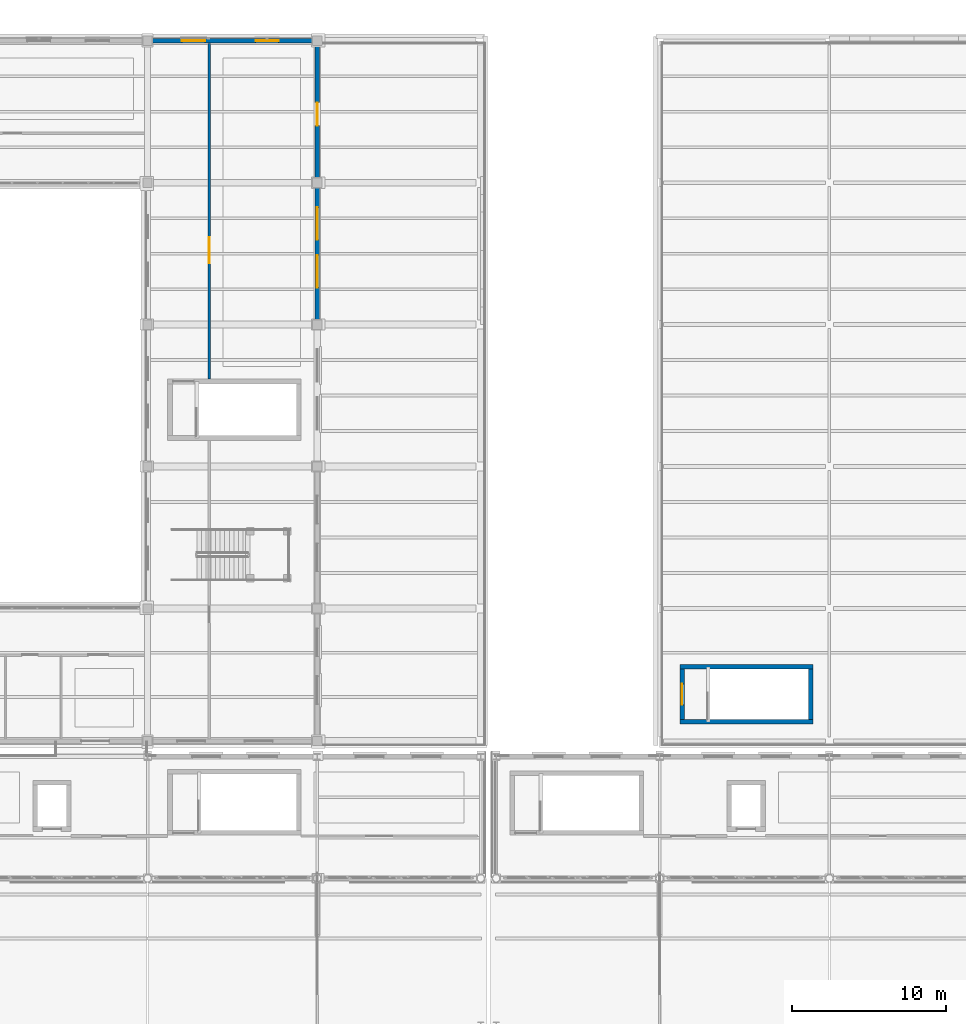
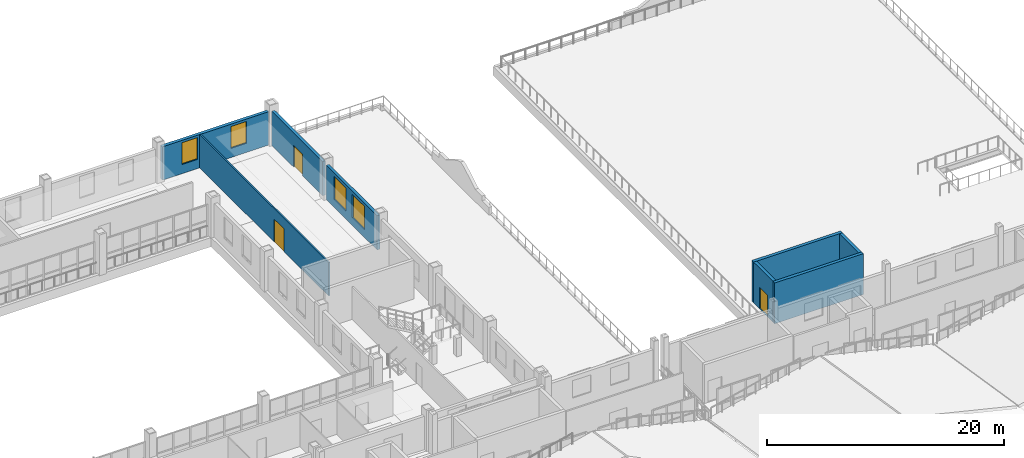
# One storey, part 100 of 120: 8 walls, 4 windows, 3 doors, 7 openings.
"""IFC4 building model written with IfcOpenShell, lengths in metres."""

from ifc_helpers import new_model, si_unit, direction, frame, frame_2d, origin, place, context, subcontext, project, spatial, rectangle, extrude, material, layer, layer_set, type_object, element, fill, save


model = new_model("IFC4")

# Units and contexts
model_context = context("Model", 3, precision=1e-05, world=origin(), true_north=direction((0.0, 1.0)))
body_context = subcontext(model_context, "Body", "Model", "MODEL_VIEW")
ifc_project = project(units=[si_unit("LENGTHUNIT", "METRE"), si_unit("AREAUNIT", "SQUARE_METRE"), si_unit("VOLUMEUNIT", "CUBIC_METRE"), si_unit("PLANEANGLEUNIT", "RADIAN"), si_unit("MASSUNIT", "GRAM", prefix="KILO")], contexts=[model_context])

# Site, building, storey
site_placement = place(None, origin())
site = spatial("IfcSite", under=ifc_project, at=site_placement, CompositionType="ELEMENT")
building_placement = place(site_placement, origin())
building = spatial("IfcBuilding", under=site, at=building_placement, Name="Caurita Quay Ferry Terminal", CompositionType="ELEMENT")
storey_placement = place(building_placement, frame((0.0, 0.0, 9.89990234375)))
storey = spatial("IfcBuildingStorey", under=building, at=storey_placement, Name="L02", CompositionType="ELEMENT", Elevation=9.89990234375)

# Walls
ifc_material_1 = material(Name="Reinforced concrete C35/45", Category="concrete")
ifc_layer_1 = layer(ifc_material_1, 0.300048828125, Name="Interior shear wall 300 mm")
ifc_layer_set_1 = layer_set([ifc_layer_1], Name="Reinforced concrete C35/45")
wall_type_1 = type_object("IfcWallType", Name="WL-CORE-300", PredefinedType="SHEAR", material=ifc_layer_set_1)
for number, where, z_axis, x_axis, name in (
    (1, (100.5, 72.85009765625, 0.0), (0.0, 0.0, 1.0), (1.0, 0.0, 0.0), "L02 ST-12 Core Wall South"),
    (2, (109.14990234375, 76.409912109375, 0.0), (0.0, 0.0, 1.0), (-1.0, 0.0, 0.0), "L02 ST-12 Core Wall North"),
):
    element("IfcWall", number, at=place(storey_placement, frame(where, z_axis=z_axis, x_axis=x_axis)), inside=storey, type_object=wall_type_1, Name=name, PredefinedType="SHEAR", context=body_context, shape_type="SweptSolid", body=[
        extrude(rectangle(XDim=8.64990234375, YDim=0.300048828125, at=frame_2d((4.324951171875, 0.0))), origin(), (0.0, 0.0, 1.0), 4.2001953125),
    ])

# Wall, opening, door
wall_1_placement = place(storey_placement, frame((100.64990234375, 76.260009765625, 0.0), z_axis=(0.0, 0.0, 1.0), x_axis=(0.0, -1.0, 0.0)))
wall_1 = element("IfcWall", 3, at=wall_1_placement, inside=storey, type_object=wall_type_1, Name="L02 ST-12 Core Wall West", PredefinedType="SHEAR", context=body_context, shape_type="SweptSolid", body=[
    extrude(rectangle(XDim=3.260009765625, YDim=0.300048828125, at=frame_2d((1.6298828125, 0.0))), origin(), (0.0, 0.0, 1.0), 4.2001953125),
])
opening_1_placement = place(wall_1_placement, frame((0.955078125, 0.0, 0.0)))
opening_1 = element("IfcOpeningElement", 4, at=opening_1_placement, cuts=wall_1, Name="Opening SD-01", PredefinedType="OPENING", context=body_context, shape_type="SweptSolid", body=[
    extrude(rectangle(XDim=1.35009765625, YDim=2.199951171875, at=frame_2d((0.675048828125, 1.10009765625))), frame((0.0, 0.159912109375, 0.0), z_axis=(0.0, -1.0, 0.0), x_axis=(1.0, 0.0, 0.0)), (0.0, 0.0, 1.0), 0.320068359375),
])
ifc_material_2 = material(Name="Anodized aluminium 6063-T6", Category="aluminium")
door_type_1 = type_object("IfcDoorType", Name="DR-ST-1200", OperationType="NOTDEFINED", PredefinedType="DOOR", material=ifc_material_2)
door_1_placement = place(opening_1_placement, origin())
door_1 = element("IfcDoor", 5, at=door_1_placement, inside=storey, type_object=door_type_1, Name="L02 Exit Stair ST-12 Fire Door", OperationType="SINGLE_SWING_RIGHT", OverallHeight=2.199951171875, OverallWidth=1.35009765625, PredefinedType="DOOR", context=body_context, shape_type="SweptSolid", body=[
    extrude(rectangle(XDim=1.35009765625, YDim=2.199951171875, at=frame_2d((0.675048828125, 1.10009765625))), frame((0.0, 0.02490234375, 0.0), z_axis=(0.0, -1.0, 0.0), x_axis=(1.0, 0.0, 0.0)), (0.0, 0.0, 1.0), 0.050048828125),
])
fill(opening_1, door_1)

# Wall
wall_2_placement = place(storey_placement, frame((109.0, 73.0, 0.0), z_axis=(0.0, 0.0, 1.0), x_axis=(0.0, 1.0, 0.0)))
element("IfcWall", 6, at=wall_2_placement, inside=storey, type_object=wall_type_1, Name="L02 ST-12 Core Wall East", PredefinedType="SHEAR", context=body_context, shape_type="SweptSolid", body=[
    extrude(rectangle(XDim=3.260009765625, YDim=0.300048828125, at=frame_2d((1.6298828125, 0.0))), origin(), (0.0, 0.0, 1.0), 4.2001953125),
])

# Wall, openings, windows
ifc_material_3 = material(Name="Warm-white lime stucco masonry", Category="masonry")
ifc_layer_2 = layer(ifc_material_3, 0.280029296875, Name="Exterior solidwall wall 280 mm")
ifc_layer_set_2 = layer_set([ifc_layer_2], Name="Warm-white lime stucco masonry")
wall_type_2 = type_object("IfcWallType", Name="WL-EXT-280", PredefinedType="SOLIDWALL", material=ifc_layer_set_2)
wall_3_placement = place(storey_placement, frame((77.0, 98.89794921875, 0.0), z_axis=(0.0, 0.0, 1.0), x_axis=(0.0, 1.0, 0.0)))
wall_3 = element("IfcWall", 7, at=wall_3_placement, inside=storey, type_object=wall_type_2, Name="L02 Exterior Wall EW-L02-096", PredefinedType="SOLIDWALL", context=body_context, shape_type="SweptSolid", body=[
    extrude(rectangle(XDim=8.60400390625, YDim=0.280029296875, at=frame_2d((4.302001953125, 0.0))), origin(), (0.0, 0.0, 1.0), 3.53515625),
])
opening_2_placement = place(wall_3_placement, frame((2.10205078125, 0.0, 0.800048828125)))
opening_2 = element("IfcOpeningElement", 8, at=opening_2_placement, cuts=wall_3, Name="Opening W-12", PredefinedType="OPENING", context=body_context, shape_type="SweptSolid", body=[
    extrude(rectangle(XDim=2.10009765625, YDim=2.39990234375, at=frame_2d((1.050048828125, 1.199951171875))), frame((0.0, 0.14990234375, 0.0), z_axis=(0.0, -1.0, 0.0), x_axis=(1.0, 0.0, 0.0)), (0.0, 0.0, 1.0), 0.300048828125),
])
opening_3_placement = place(wall_3_placement, frame((5.201904296875, 0.0, 0.800048828125)))
opening_3 = element("IfcOpeningElement", 9, at=opening_3_placement, cuts=wall_3, Name="Opening W-12", PredefinedType="OPENING", context=body_context, shape_type="SweptSolid", body=[
    extrude(rectangle(XDim=2.10009765625, YDim=2.39990234375, at=frame_2d((1.050048828125, 1.199951171875))), frame((0.0, 0.14990234375, 0.0), z_axis=(0.0, -1.0, 0.0), x_axis=(1.0, 0.0, 0.0)), (0.0, 0.0, 1.0), 0.300048828125),
])
ifc_material_4 = material(Name="Laminated solar-control insulated glass", Category="glass")
window_type_1 = type_object("IfcWindowType", Name="WIN-SC-2124", PartitioningType="SINGLE_PANEL", PredefinedType="WINDOW", material=ifc_material_4)
window_1_placement = place(opening_2_placement, origin())
window_1 = element("IfcWindow", 10, at=window_1_placement, inside=storey, type_object=window_type_1, Name="L02 Casement Window WN-L02-147", OverallHeight=2.39990234375, OverallWidth=2.10009765625, PartitioningType="SINGLE_PANEL", PredefinedType="WINDOW", context=body_context, shape_type="SweptSolid", body=[
    extrude(rectangle(XDim=2.10009765625, YDim=2.39990234375, at=frame_2d((1.050048828125, 1.199951171875))), frame((0.0, 0.030029296875, 0.0), z_axis=(0.0, -1.0, 0.0), x_axis=(1.0, 0.0, 0.0)), (0.0, 0.0, 1.0), 0.06005859375),
])
fill(opening_2, window_1)
window_2_placement = place(opening_3_placement, origin())
window_2 = element("IfcWindow", 11, at=window_2_placement, inside=storey, type_object=window_type_1, Name="L02 Casement Window WN-L02-148", OverallHeight=2.39990234375, OverallWidth=2.10009765625, PartitioningType="SINGLE_PANEL", PredefinedType="WINDOW", context=body_context, shape_type="SweptSolid", body=[
    extrude(rectangle(XDim=2.10009765625, YDim=2.39990234375, at=frame_2d((1.050048828125, 1.199951171875))), frame((0.0, 0.030029296875, 0.0), z_axis=(0.0, -1.0, 0.0), x_axis=(1.0, 0.0, 0.0)), (0.0, 0.0, 1.0), 0.06005859375),
])
fill(opening_3, window_2)

# Wall, opening, door
wall_4_placement = place(storey_placement, frame((77.0, 108.097900390625, 0.0), z_axis=(0.0, 0.0, 1.0), x_axis=(0.0, 1.0, 0.0)))
wall_4 = element("IfcWall", 12, at=wall_4_placement, inside=storey, type_object=wall_type_2, Name="L02 Exterior Wall EW-L02-097", PredefinedType="SOLIDWALL", context=body_context, shape_type="SweptSolid", body=[
    extrude(rectangle(XDim=8.60400390625, YDim=0.280029296875, at=frame_2d((4.302001953125, 0.0))), origin(), (0.0, 0.0, 1.0), 3.53515625),
])
opening_4_placement = place(wall_4_placement, frame((3.402099609375, 0.0, 0.0)))
opening_4 = element("IfcOpeningElement", 13, at=opening_4_placement, cuts=wall_4, Name="Opening TD-02", PredefinedType="OPENING", context=body_context, shape_type="SweptSolid", body=[
    extrude(rectangle(XDim=1.5, YDim=2.25, at=frame_2d((0.75, 1.125))), frame((0.0, 0.14990234375, 0.0), z_axis=(0.0, -1.0, 0.0), x_axis=(1.0, 0.0, 0.0)), (0.0, 0.0, 1.0), 0.300048828125),
])
door_type_2 = type_object("IfcDoorType", Name="DR-TER-1522", OperationType="NOTDEFINED", PredefinedType="DOOR", material=ifc_material_2)
door_2_placement = place(opening_4_placement, frame((1.5, 0.0, 0.0), z_axis=(0.0, 0.0, 1.0), x_axis=(-1.0, 0.0, 0.0)))
door_2 = element("IfcDoor", 14, at=door_2_placement, inside=storey, type_object=door_type_2, Name="L02 Colonial Roof Terrace Door TD-L02", OperationType="SINGLE_SWING_LEFT", OverallHeight=2.25, OverallWidth=1.5, PredefinedType="DOOR", context=body_context, shape_type="SweptSolid", body=[
    extrude(rectangle(XDim=1.5, YDim=2.25, at=frame_2d((0.75, 1.125))), frame((0.0, 0.02490234375, 0.0), z_axis=(0.0, -1.0, 0.0), x_axis=(1.0, 0.0, 0.0)), (0.0, 0.0, 1.0), 0.050048828125),
])
fill(opening_4, door_2)

# Wall, openings, windows
ifc_layer_3 = layer(ifc_material_3, 0.31005859375, Name="Exterior solidwall wall 310 mm")
ifc_layer_set_3 = layer_set([ifc_layer_3], Name="Warm-white lime stucco masonry")
wall_type_3 = type_object("IfcWallType", Name="WL-EXT-310", PredefinedType="SOLIDWALL", material=ifc_layer_set_3)
wall_5_placement = place(storey_placement, frame((76.701904296875, 117.0, 0.0), z_axis=(0.0, 0.0, 1.0), x_axis=(-1.0, 0.0, 0.0)))
wall_5 = element("IfcWall", 15, at=wall_5_placement, inside=storey, type_object=wall_type_3, Name="L02 Exterior Wall EW-L02-023", PredefinedType="SOLIDWALL", context=body_context, shape_type="SweptSolid", body=[
    extrude(rectangle(XDim=10.40380859375, YDim=0.31005859375, at=frame_2d((5.201904296875, 0.0))), origin(), (0.0, 0.0, 1.0), 3.43505859375),
])
opening_5_placement = place(wall_5_placement, frame((2.201904296875, 0.0, 0.949951171875)))
opening_5 = element("IfcOpeningElement", 16, at=opening_5_placement, cuts=wall_5, Name="Opening W-07", PredefinedType="OPENING", context=body_context, shape_type="SweptSolid", body=[
    extrude(rectangle(XDim=1.5, YDim=2.25, at=frame_2d((0.75, 1.125))), frame((0.0, 0.1650390625, 0.0), z_axis=(0.0, -1.0, 0.0), x_axis=(1.0, 0.0, 0.0)), (0.0, 0.0, 1.0), 0.330078125),
])
opening_6_placement = place(wall_5_placement, frame((6.97412109375, 0.0, 0.949951171875)))
opening_6 = element("IfcOpeningElement", 17, at=opening_6_placement, cuts=wall_5, Name="Opening W-07", PredefinedType="OPENING", context=body_context, shape_type="SweptSolid", body=[
    extrude(rectangle(XDim=1.5, YDim=2.25, at=frame_2d((0.75, 1.125))), frame((0.0, 0.1650390625, 0.0), z_axis=(0.0, -1.0, 0.0), x_axis=(1.0, 0.0, 0.0)), (0.0, 0.0, 1.0), 0.330078125),
])
window_type_2 = type_object("IfcWindowType", Name="WIN-SC-1522", PartitioningType="SINGLE_PANEL", PredefinedType="WINDOW", material=ifc_material_4)
window_3_placement = place(opening_5_placement, origin())
window_3 = element("IfcWindow", 18, at=window_3_placement, inside=storey, type_object=window_type_2, Name="L02 Casement Window WN-L02-031", OverallHeight=2.25, OverallWidth=1.5, PartitioningType="SINGLE_PANEL", PredefinedType="WINDOW", context=body_context, shape_type="SweptSolid", body=[
    extrude(rectangle(XDim=1.5, YDim=2.25, at=frame_2d((0.75, 1.125))), frame((0.0, 0.030029296875, 0.0), z_axis=(0.0, -1.0, 0.0), x_axis=(1.0, 0.0, 0.0)), (0.0, 0.0, 1.0), 0.06005859375),
])
fill(opening_5, window_3)
window_4_placement = place(opening_6_placement, origin())
window_4 = element("IfcWindow", 19, at=window_4_placement, inside=storey, type_object=window_type_2, Name="L02 Casement Window WN-L02-032", OverallHeight=2.25, OverallWidth=1.5, PartitioningType="SINGLE_PANEL", PredefinedType="WINDOW", context=body_context, shape_type="SweptSolid", body=[
    extrude(rectangle(XDim=1.5, YDim=2.25, at=frame_2d((0.75, 1.125))), frame((0.0, 0.030029296875, 0.0), z_axis=(0.0, -1.0, 0.0), x_axis=(1.0, 0.0, 0.0)), (0.0, 0.0, 1.0), 0.06005859375),
])
fill(opening_6, window_4)

# Wall, opening, door
ifc_material_5 = material(Name="Gypsum board partition", Category="masonry")
ifc_layer_4 = layer(ifc_material_5, 0.14501953125, Name="Interior partitioning wall 145 mm")
ifc_layer_set_4 = layer_set([ifc_layer_4], Name="Gypsum board partition")
wall_type_4 = type_object("IfcWallType", Name="WL-PART-145", PredefinedType="PARTITIONING", material=ifc_layer_set_4)
wall_6_placement = place(storey_placement, frame((70.0, 95.06494140625, 0.0), z_axis=(0.0, 0.0, 1.0), x_axis=(0.0, 1.0, 0.0)))
wall_6 = element("IfcWall", 20, at=wall_6_placement, inside=storey, type_object=wall_type_4, Name="L02 Interior Partition IW-L02-091", PredefinedType="PARTITIONING", context=body_context, shape_type="SweptSolid", body=[
    extrude(rectangle(XDim=21.775146484375, YDim=0.14501953125, at=frame_2d((10.8876953125, 0.0))), origin(), (0.0, 0.0, 1.0), 3.43505859375),
])
opening_7_placement = place(wall_6_placement, frame((7.5048828125, 0.0, 0.0)))
opening_7 = element("IfcOpeningElement", 21, at=opening_7_placement, cuts=wall_6, Name="Opening ID-03", PredefinedType="OPENING", context=body_context, shape_type="SweptSolid", body=[
    extrude(rectangle(XDim=1.699951171875, YDim=2.35009765625, at=frame_2d((0.85009765625, 1.175048828125))), frame((0.0, 0.08251953125, 0.0), z_axis=(0.0, -1.0, 0.0), x_axis=(1.0, 0.0, 0.0)), (0.0, 0.0, 1.0), 0.1650390625),
])
ifc_material_6 = material(Name="Tropical mahogany hardwood", Category="wood")
door_type_3 = type_object("IfcDoorType", Name="DR-CONC-1700", OperationType="NOTDEFINED", PredefinedType="DOOR", material=ifc_material_6)
door_3_placement = place(opening_7_placement, origin())
door_3 = element("IfcDoor", 22, at=door_3_placement, inside=storey, type_object=door_type_3, Name="Colonial Terrace Pavilion Cafe Door", OperationType="SINGLE_SWING_LEFT", OverallHeight=2.35009765625, OverallWidth=1.699951171875, PredefinedType="DOOR", context=body_context, shape_type="SweptSolid", body=[
    extrude(rectangle(XDim=1.699951171875, YDim=2.35009765625, at=frame_2d((0.85009765625, 1.175048828125))), frame((0.0, 0.02490234375, 0.0), z_axis=(0.0, -1.0, 0.0), x_axis=(1.0, 0.0, 0.0)), (0.0, 0.0, 1.0), 0.050048828125),
])
fill(opening_7, door_3)

save(model, "model.ifc")
